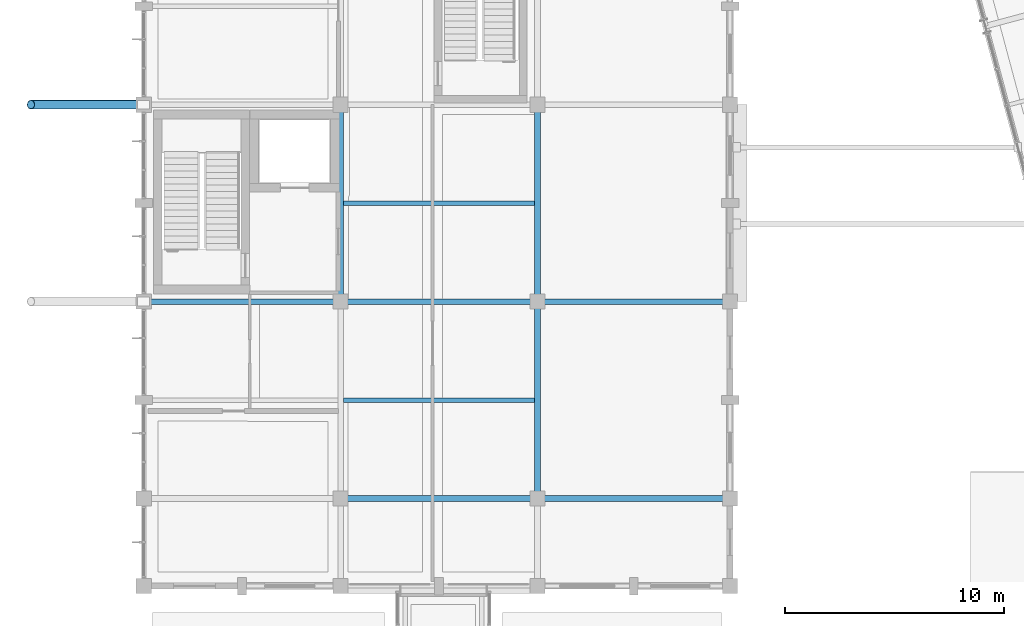
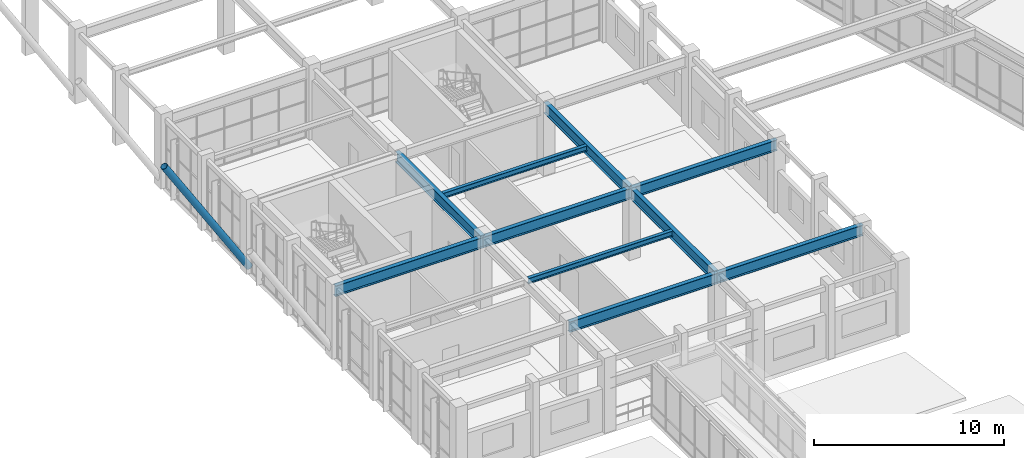
# One storey, part 24 of 104: 10 beams, 1 member.
"""IFC4 building model written with IfcOpenShell, lengths in metres."""

from ifc_helpers import new_model, si_unit, direction, frame, origin, origin_2d, place, context, subcontext, project, spatial, hollow_circle, i_section, extrude, material, material_profile, profile_set, type_object, element, save


model = new_model("IFC4")

# Units and contexts
model_context = context("Model", 3, precision=1e-05, world=origin(), true_north=direction((0.0, 1.0)))
body_context = subcontext(model_context, "Body", "Model", "MODEL_VIEW")
ifc_project = project(units=[si_unit("LENGTHUNIT", "METRE"), si_unit("AREAUNIT", "SQUARE_METRE"), si_unit("VOLUMEUNIT", "CUBIC_METRE"), si_unit("PLANEANGLEUNIT", "RADIAN"), si_unit("MASSUNIT", "GRAM", prefix="KILO")], contexts=[model_context])

# Site, building, storey
site_placement = place(None, origin())
site = spatial("IfcSite", under=ifc_project, at=site_placement, CompositionType="ELEMENT")
building_placement = place(site_placement, origin())
building = spatial("IfcBuilding", under=site, at=building_placement, Name="Ventoquebrada Cableway Terminal", CompositionType="ELEMENT")
storey_placement = place(building_placement, frame((0.0, 0.0, 4.800048828125)))
storey = spatial("IfcBuildingStorey", under=building, at=storey_placement, Name="L01", CompositionType="ELEMENT", Elevation=4.800048828125)

# Beams
ifc_material_1 = material(Name="Steel ASTM A992 Grade 50", Category="steel")
ifc_material_profile_1 = material_profile(ifc_material_1, i_section(OverallWidth=0.25390625, OverallDepth=0.68798828125, WebThickness=0.01318359375, FlangeThickness=0.02099609375, at=origin_2d()), Name="W27X102")
ifc_profile_set_1 = profile_set([ifc_material_profile_1], Name="Steel ASTM A992 Grade 50")
beam_type_1 = type_object("IfcBeamType", Name="BM-ST04", PredefinedType="BEAM", material=ifc_profile_set_1)
beam_1_placement = place(storey_placement, frame((17.199951171875, 68.0, 4.120849609375), z_axis=(1.0, 0.0, 0.0), x_axis=(0.0, 1.0, 0.0)))
element("IfcBeam", 1, at=beam_1_placement, inside=storey, type_object=beam_type_1, Name="Primary frame girder FBM-0384", PredefinedType="BEAM", context=body_context, shape_type="SweptSolid", body=[
    extrude(i_section(OverallWidth=0.25390625, OverallDepth=0.68798828125, WebThickness=0.01318359375, FlangeThickness=0.02099609375, at=origin_2d()), origin(), (0.0, 0.0, 1.0), 9.0),
])
beam_2_placement = place(storey_placement, frame((26.199951171875, 68.0, 4.120849609375), z_axis=(1.0, 0.0, 0.0), x_axis=(0.0, 1.0, 0.0)))
element("IfcBeam", 2, at=beam_2_placement, inside=storey, type_object=beam_type_1, Name="Primary frame girder FBM-0385", PredefinedType="BEAM", context=body_context, shape_type="SweptSolid", body=[
    extrude(i_section(OverallWidth=0.25390625, OverallDepth=0.68798828125, WebThickness=0.01318359375, FlangeThickness=0.02099609375, at=origin_2d()), origin(), (0.0, 0.0, 1.0), 8.800048828125),
])
for number, where, z_axis, x_axis, name in (
    (3, (8.199951171875, 77.0, 4.120849609375), (1.0, 0.0, 0.0), (0.0, 1.0, 0.0), "Primary frame girder FBM-0386"),
    (4, (17.199951171875, 77.0, 4.120849609375), (1.0, 0.0, 0.0), (0.0, 1.0, 0.0), "Primary frame girder FBM-0387"),
):
    element("IfcBeam", number, at=place(storey_placement, frame(where, z_axis=z_axis, x_axis=x_axis)), inside=storey, type_object=beam_type_1, Name=name, PredefinedType="BEAM", context=body_context, shape_type="SweptSolid", body=[
        extrude(i_section(OverallWidth=0.25390625, OverallDepth=0.68798828125, WebThickness=0.01318359375, FlangeThickness=0.02099609375, at=origin_2d()), origin(), (0.0, 0.0, 1.0), 9.0),
    ])
beam_3_placement = place(storey_placement, frame((26.199951171875, 77.0, 4.120849609375), z_axis=(1.0, 0.0, 0.0), x_axis=(0.0, 1.0, 0.0)))
element("IfcBeam", 5, at=beam_3_placement, inside=storey, type_object=beam_type_1, Name="Primary frame girder FBM-0388", PredefinedType="BEAM", context=body_context, shape_type="SweptSolid", body=[
    extrude(i_section(OverallWidth=0.25390625, OverallDepth=0.68798828125, WebThickness=0.01318359375, FlangeThickness=0.02099609375, at=origin_2d()), origin(), (0.0, 0.0, 1.0), 8.800048828125),
])
for number, where, z_axis, x_axis, name in (
    (6, (17.199951171875, 77.0, 4.120849609375), (0.0, 1.0, 0.0), (-1.0, 0.0, 0.0), "Primary frame girder FBM-0417"),
    (7, (26.199951171875, 68.0, 4.120849609375), (0.0, 1.0, 0.0), (-1.0, 0.0, 0.0), "Primary frame girder FBM-0422"),
    (8, (26.199951171875, 77.0, 4.120849609375), (0.0, 1.0, 0.0), (-1.0, 0.0, 0.0), "Primary frame girder FBM-0423"),
):
    element("IfcBeam", number, at=place(storey_placement, frame(where, z_axis=z_axis, x_axis=x_axis)), inside=storey, type_object=beam_type_1, Name=name, PredefinedType="BEAM", context=body_context, shape_type="SweptSolid", body=[
        extrude(i_section(OverallWidth=0.25390625, OverallDepth=0.68798828125, WebThickness=0.01318359375, FlangeThickness=0.02099609375, at=origin_2d()), origin(), (0.0, 0.0, 1.0), 9.0),
    ])
ifc_material_profile_2 = material_profile(ifc_material_1, i_section(OverallWidth=0.2041015625, OverallDepth=0.35009765625, WebThickness=0.008544921875, FlangeThickness=0.01513671875, at=origin_2d()), Name="W14X48")
ifc_profile_set_2 = profile_set([ifc_material_profile_2], Name="Steel ASTM A992 Grade 50")
beam_type_2 = type_object("IfcBeamType", Name="JST-ST05", PredefinedType="JOIST", material=ifc_profile_set_2)
for number, where, z_axis, x_axis, name in (
    (9, (17.326904296875, 72.5, 4.2900390625), (1.0, 0.0, 0.0), (0.0, 1.0, 0.0), "Secondary floor joist JB-013"),
    (10, (17.326904296875, 81.5, 4.2900390625), (1.0, 0.0, 0.0), (0.0, 1.0, 0.0), "Secondary floor joist JB-014"),
):
    element("IfcBeam", number, at=place(storey_placement, frame(where, z_axis=z_axis, x_axis=x_axis)), inside=storey, type_object=beam_type_2, Name=name, PredefinedType="JOIST", context=body_context, shape_type="SweptSolid", body=[
        extrude(i_section(OverallWidth=0.2041015625, OverallDepth=0.35009765625, WebThickness=0.008544921875, FlangeThickness=0.01513671875, at=origin_2d()), origin(), (0.0, 0.0, 1.0), 8.74609375),
    ])

# Member
ifc_material_2 = material(Name="Steel ASTM A500 Grade C", Category="steel")
ifc_material_profile_3 = material_profile(ifc_material_2, hollow_circle(Radius=0.203125, WallThickness=0.01611328125, at=origin_2d()), Name="CHS406.4X16")
ifc_profile_set_3 = profile_set([ifc_material_profile_3], Name="Steel ASTM A500 Grade C")
member_type = type_object("IfcMemberType", Name="STR-RK01", PredefinedType="STRUT", material=ifc_profile_set_3)
member_placement = place(storey_placement, frame((8.199951171875, 86.0, 0.199951171875), z_axis=(-0.530964723837, 0.0, 0.847393923769), x_axis=(0.0, -1.0, 0.0)))
element("IfcMember", 11, at=member_placement, inside=storey, type_object=member_type, Name="Cantilever steel raker strut RK-02", PredefinedType="STRUT", context=body_context, shape_type="SweptSolid", body=[
    extrude(hollow_circle(Radius=0.203125, WallThickness=0.01611328125, at=origin_2d()), origin(), (0.0, 0.0, 1.0), 9.69921875),
])

save(model, "model.ifc")
